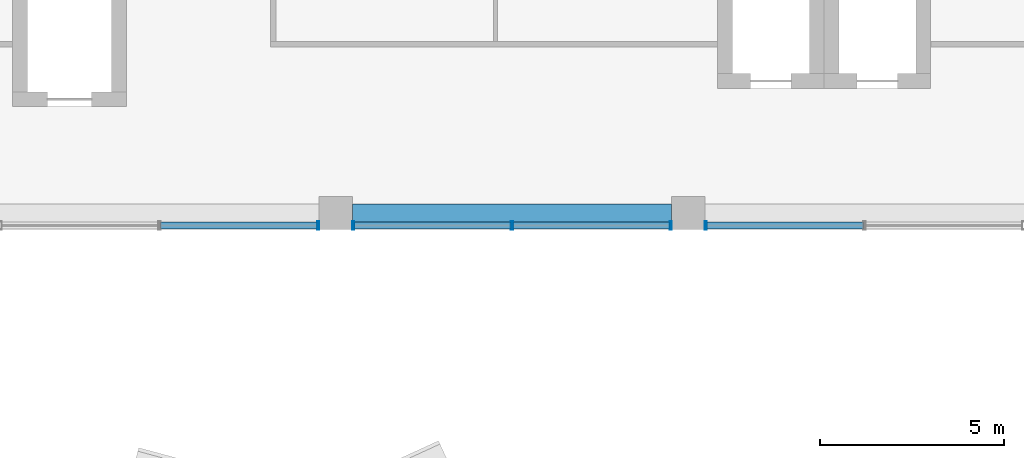
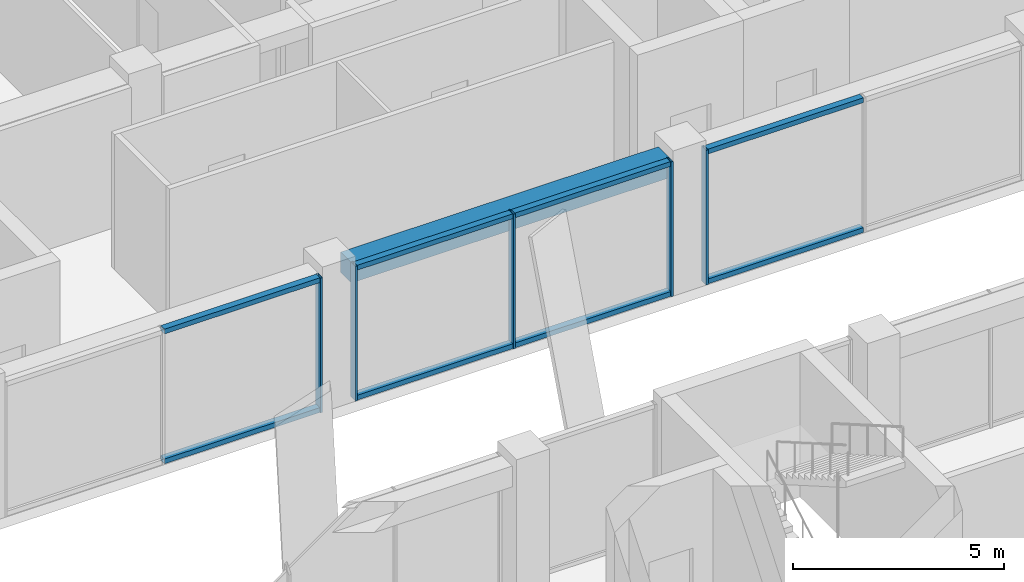
# One storey, part 10 of 36: 13 members, 1 beam, 3 elements without a shape of their own.
"""IFC4 building model written with IfcOpenShell, lengths in metres."""

import ifcopenshell
import ifcopenshell.guid

model = None  # the IFC model being written
_history = None  # IfcOwnerHistory: only IFC2X3 demands one
_inside = {}  # id of a spatial element -> (the spatial element, [elements in it])
_under = {}  # id of a project, library or spatial element -> (it, [spatial elements below it])
_declared = {}  # id of a project -> (the project, [libraries it declares])
_typed = {}  # id of a type object -> (the type object, [elements of that type])
_made_of = {}  # id of a material, layer set ... -> (it, [elements and type objects made of it])


def new_model(schema):
    """Start an empty IFC model of exactly this schema.

    Asked for "IFC4X3", IfcOpenShell would pick the latest addendum, in which some entities
    have other attributes; the version numbers below select the first issue.
    IFC2X3 requires an IfcOwnerHistory on every rooted entity: one is made here for all.
    """
    global model, _history
    if schema == "IFC4X3":
        model = ifcopenshell.file(schema_version=(4, 3, 0, 0))
    else:
        model = ifcopenshell.file(schema=schema)
    _inside.clear()
    _under.clear()
    _declared.clear()
    _typed.clear()
    _made_of.clear()
    _history = None
    if model.schema == "IFC2X3":
        org = make("IfcOrganization", Name="unknown")
        user = make(
            "IfcPersonAndOrganization",
            ThePerson=make("IfcPerson", FamilyName="unknown"),
            TheOrganization=org,
        )
        app = make(
            "IfcApplication",
            ApplicationDeveloper=org,
            Version="unknown",
            ApplicationFullName="unknown",
            ApplicationIdentifier="unknown",
        )
        _history = make(
            "IfcOwnerHistory",
            OwningUser=user,
            OwningApplication=app,
            ChangeAction="ADDED",
            CreationDate=0,
        )
    return model


def make(cls, **values):
    """One entity of the class cls with the attributes given. An attribute that is None is left unset."""
    return model.create_entity(
        cls, **{name: value for name, value in values.items() if value is not None}
    )


def rooted(cls, **values):
    """An entity with a GlobalId (a new one), such as an element, a storey or a relation."""
    return make(cls, GlobalId=ifcopenshell.guid.new(), OwnerHistory=_history, **values)


def si_unit(unit_type, name, prefix=None):
    """IfcSIUnit, for example si_unit("LENGTHUNIT", "METRE", prefix="MILLI")."""
    return make("IfcSIUnit", UnitType=unit_type, Prefix=prefix, Name=name)


def assignment(units):
    """IfcUnitAssignment: the units of a project."""
    return None if units is None else make("IfcUnitAssignment", Units=units)


def point(xyz):
    """IfcCartesianPoint."""
    return None if xyz is None else make("IfcCartesianPoint", Coordinates=xyz)


def direction(xyz):
    """IfcDirection."""
    return None if xyz is None else make("IfcDirection", DirectionRatios=xyz)


def frame(location, z_axis=None, x_axis=None):
    """IfcAxis2Placement3D, a coordinate frame: its origin and axes. An axis left out is left unset."""
    return make(
        "IfcAxis2Placement3D",
        Location=point(location),
        Axis=direction(z_axis),
        RefDirection=direction(x_axis),
    )


def frame_2d(location, x_axis=None):
    """IfcAxis2Placement2D, a coordinate frame in the plane: its origin and x axis."""
    return make(
        "IfcAxis2Placement2D", Location=point(location), RefDirection=direction(x_axis)
    )


def origin():
    """The frame at (0, 0, 0) with its axes left unset."""
    return frame((0.0, 0.0, 0.0))


def origin_2d():
    """The frame at (0, 0) in the plane with its x axis left unset."""
    return frame_2d((0.0, 0.0))


def place(relative_to, where):
    """IfcLocalPlacement: puts the frame where relative to a parent placement (None: the world)."""
    return make(
        "IfcLocalPlacement", PlacementRelTo=relative_to, RelativePlacement=where
    )


def context(
    kind, dimensions, precision=None, world=None, true_north=None, identifier=None
):
    """IfcGeometricRepresentationContext, for example the 3D "Model" context."""
    return make(
        "IfcGeometricRepresentationContext",
        ContextIdentifier=identifier,
        ContextType=kind,
        CoordinateSpaceDimension=dimensions,
        Precision=precision,
        WorldCoordinateSystem=world,
        TrueNorth=true_north,
    )


def subcontext(parent, identifier, kind, view, scale=None):
    """IfcGeometricRepresentationSubContext, for example "Body" below "Model"."""
    return make(
        "IfcGeometricRepresentationSubContext",
        ContextIdentifier=identifier,
        ContextType=kind,
        ParentContext=parent,
        TargetScale=scale,
        TargetView=view,
    )


def project(units=None, contexts=None):
    """IfcProject with its units and contexts."""
    return rooted(
        "IfcProject",
        Name="project",
        RepresentationContexts=contexts,
        UnitsInContext=assignment(units),
    )


def spatial(cls, under=None, at=None, **own):
    """A site, building, storey or space (cls), placed at a placement, below another one or the project."""
    s = rooted(cls, ObjectPlacement=at, **own)
    if under is not None:
        _under.setdefault(under.id(), (under, []))[1].append(s)
    return s


def profile(cls, at=None, kind="AREA", **sizes):
    """A parametric profile (cls). Its sizes go by their IFC names, for example OverallWidth=200.0."""
    return make(cls, ProfileType=kind, Position=at, **sizes)


def rectangle(**sizes):
    """IfcRectangleProfileDef."""
    return profile("IfcRectangleProfileDef", **sizes)


def hollow_rectangle(**sizes):
    """IfcRectangleHollowProfileDef."""
    return profile("IfcRectangleHollowProfileDef", **sizes)


def extrude(swept, where, along, depth):
    """IfcExtrudedAreaSolid: the profile swept, set in the frame where, extruded along a direction by depth."""
    return make(
        "IfcExtrudedAreaSolid",
        SweptArea=swept,
        Position=where,
        ExtrudedDirection=direction(along),
        Depth=depth,
    )


def shape(context_of_items, identifier, shape_type, items):
    """IfcShapeRepresentation: the items that make up one representation, for example the "Body"."""
    return make(
        "IfcShapeRepresentation",
        ContextOfItems=context_of_items,
        RepresentationIdentifier=identifier,
        RepresentationType=shape_type,
        Items=items,
    )


def material(Name=None, Category=None):
    """IfcMaterial."""
    return make("IfcMaterial", Name=Name, Category=Category)


def layer(
    of_material, thickness, ventilated=None, Name=None, Category=None, Priority=None
):
    """IfcMaterialLayer: one layer of a wall or slab, of a material (None: an air gap)."""
    return make(
        "IfcMaterialLayer",
        Material=of_material,
        LayerThickness=thickness,
        IsVentilated=ventilated,
        Name=Name,
        Category=Category,
        Priority=Priority,
    )


def layer_set(layers, Name=None):
    """IfcMaterialLayerSet."""
    return make("IfcMaterialLayerSet", MaterialLayers=layers, LayerSetName=Name)


def material_profile(
    of_material, cross_section, Name=None, Category=None, Priority=None
):
    """IfcMaterialProfile: a cross section and its material."""
    return make(
        "IfcMaterialProfile",
        Name=Name,
        Material=of_material,
        Profile=cross_section,
        Priority=Priority,
        Category=Category,
    )


def profile_set(profiles, Name=None, composite=None):
    """IfcMaterialProfileSet."""
    return make(
        "IfcMaterialProfileSet",
        Name=Name,
        MaterialProfiles=profiles,
        CompositeProfile=composite,
    )


def made_of(thing, what):
    """Note that an element or type object is made of a material, layer set ...; save() writes the relation."""
    if what is not None:
        _made_of.setdefault(what.id(), (what, []))[1].append(thing)
    return thing


def type_object(cls, material=None, **own):
    """A type object (cls), such as IfcWallType, which elements share."""
    return made_of(rooted(cls, **own), material)


def element(
    cls,
    number,
    at=None,
    inside=None,
    cuts=None,
    type_object=None,
    material=None,
    context=None,
    identifier="Body",
    shape_type=None,
    held_by="IfcProductDefinitionShape",
    body=None,
    shapes=None,
    **own,
):
    """One element of the class cls, such as IfcWall. Its Tag is "e" and its number.

    at: its placement. inside: the storey or other place that contains it. cuts: it is an
    opening in that element (IfcRelVoidsElement). A single representation is given by context,
    identifier, shape_type and body (its items); several are given by shapes. held_by: the class
    of the entity that holds the representations. save() writes the other relations.
    """
    e = rooted(cls, Tag="e%d" % number, ObjectPlacement=at, **own)
    if body is not None:
        shapes = [shape(context, identifier, shape_type, body)]
    if shapes is not None:
        e.Representation = make(held_by, Representations=shapes)
    if inside is not None:
        _inside.setdefault(inside.id(), (inside, []))[1].append(e)
    if cuts is not None:
        rooted(
            "IfcRelVoidsElement", RelatingBuildingElement=cuts, RelatedOpeningElement=e
        )
    if type_object is not None:
        _typed.setdefault(type_object.id(), (type_object, []))[1].append(e)
    return made_of(e, material)


def aggregate(whole, parts):
    """IfcRelAggregates: a whole, such as a stair, and the parts it consists of."""
    return rooted("IfcRelAggregates", RelatingObject=whole, RelatedObjects=parts)


def save(model, path):
    """Write the relations noted so far, then the file.

    IfcRelAggregates (storeys below a building ...), IfcRelContainedInSpatialStructure (elements
    in a storey), IfcRelDefinesByType, IfcRelAssociatesMaterial and IfcRelDeclares: one each for
    every whole, place, type object, material and project.
    """
    for whole, parts in _under.values():
        aggregate(whole, parts)
    for where, things in _inside.values():
        rooted(
            "IfcRelContainedInSpatialStructure",
            RelatedElements=things,
            RelatingStructure=where,
        )
    for kind, things in _typed.values():
        rooted("IfcRelDefinesByType", RelatedObjects=things, RelatingType=kind)
    for what, things in _made_of.values():
        rooted("IfcRelAssociatesMaterial", RelatedObjects=things, RelatingMaterial=what)
    for by, libraries in _declared.values():
        rooted("IfcRelDeclares", RelatingContext=by, RelatedDefinitions=libraries)
    model.write(path)


model = new_model("IFC4")

# Units and contexts
model_context = context("Model", 3, precision=1e-05, world=origin(), true_north=direction((0.0, 1.0)))
body_context = subcontext(model_context, "Body", "Model", "MODEL_VIEW")
ifc_project = project(units=[si_unit("LENGTHUNIT", "METRE"), si_unit("AREAUNIT", "SQUARE_METRE"), si_unit("VOLUMEUNIT", "CUBIC_METRE"), si_unit("PLANEANGLEUNIT", "RADIAN"), si_unit("MASSUNIT", "GRAM", prefix="KILO")], contexts=[model_context])

# Site, building, storey
site_placement = place(None, origin())
site = spatial("IfcSite", under=ifc_project, at=site_placement, CompositionType="ELEMENT")
building_placement = place(site_placement, origin())
building = spatial("IfcBuilding", under=site, at=building_placement, Name="Nzadi Deep Aquarium and Research Tower", CompositionType="ELEMENT")
storey_placement = place(building_placement, frame((0.0, 0.0, 44.5)))
storey = spatial("IfcBuildingStorey", under=building, at=storey_placement, Name="L08", CompositionType="ELEMENT", Elevation=44.5)

# Curtain wall, member
ifc_material_1 = material(Name="Aluminium unitised frame deep", Category="aluminium")
ifc_layer = layer(ifc_material_1, 0.22509765625)
ifc_layer_set = layer_set([ifc_layer], Name="Aluminium unitised frame deep")
curtain_wall_type = type_object("IfcCurtainWallType", Name="Curtain wall Unitised Deep 225", PredefinedType="NOTDEFINED", material=ifc_layer_set)
curtain_wall_1_placement = place(storey_placement, origin())
curtain_wall_1 = element("IfcCurtainWall", 1, at=curtain_wall_1_placement, inside=storey, type_object=curtain_wall_type, Name="Unitised curtain wall blade B south L08", PredefinedType="NOTDEFINED")
ifc_material_2 = material(Name="Aluminium unitised frame deep", Category="aluminium")
ifc_material_profile_1 = material_profile(ifc_material_2, hollow_rectangle(XDim=0.22509765625, YDim=0.06005859375, WallThickness=0.0048828125, at=origin_2d()))
ifc_profile_set_1 = profile_set([ifc_material_profile_1], Name="Aluminium unitised frame deep")
member_type_1 = type_object("IfcMemberType", Name="Mullion 60x225 Unitised Deep", PredefinedType="MULLION", material=ifc_profile_set_1)
member_1_placement = place(storey_placement, frame((18.719970703125, 27.262451171875, 0.0), z_axis=(0.0, 0.0, 1.0), x_axis=(0.0, 1.0, 0.0)))
member_1 = element("IfcMember", 2, at=member_1_placement, type_object=member_type_1, Name="CW109 mullion 3", PredefinedType="MULLION", context=body_context, shape_type="SweptSolid", body=[
    extrude(hollow_rectangle(XDim=0.22509765625, YDim=0.06005859375, WallThickness=0.0048828125, at=origin_2d()), origin(), (0.0, 0.0, 1.0), 3.89990234375),
])

# Curtain wall, members
curtain_wall_2_placement = place(storey_placement, origin())
curtain_wall_2 = element("IfcCurtainWall", 3, at=curtain_wall_2_placement, inside=storey, type_object=curtain_wall_type, Name="Unitised curtain wall blade B south L08", PredefinedType="NOTDEFINED")
member_2_placement = place(storey_placement, frame((19.679931640625, 27.262451171875, 0.0), z_axis=(0.0, 0.0, 1.0), x_axis=(0.0, 1.0, 0.0)))
member_2 = element("IfcMember", 4, at=member_2_placement, type_object=member_type_1, Name="CW110 mullion 1", PredefinedType="MULLION", context=body_context, shape_type="SweptSolid", body=[
    extrude(hollow_rectangle(XDim=0.22509765625, YDim=0.06005859375, WallThickness=0.0048828125, at=origin_2d()), origin(), (0.0, 0.0, 1.0), 3.89990234375),
])
member_3_placement = place(storey_placement, frame((24.0, 27.262451171875, 0.0), z_axis=(0.0, 0.0, 1.0), x_axis=(0.0, 1.0, 0.0)))
member_3 = element("IfcMember", 5, at=member_3_placement, type_object=member_type_1, Name="CW110 mullion 2", PredefinedType="MULLION", context=body_context, shape_type="SweptSolid", body=[
    extrude(hollow_rectangle(XDim=0.22509765625, YDim=0.06005859375, WallThickness=0.0048828125, at=origin_2d()), origin(), (0.0, 0.0, 1.0), 3.89990234375),
])
member_4_placement = place(storey_placement, frame((28.320068359375, 27.262451171875, 0.0), z_axis=(0.0, 0.0, 1.0), x_axis=(0.0, 1.0, 0.0)))
member_4 = element("IfcMember", 6, at=member_4_placement, type_object=member_type_1, Name="CW110 mullion 3", PredefinedType="MULLION", context=body_context, shape_type="SweptSolid", body=[
    extrude(hollow_rectangle(XDim=0.22509765625, YDim=0.06005859375, WallThickness=0.0048828125, at=origin_2d()), origin(), (0.0, 0.0, 1.0), 3.89990234375),
])

# Curtain wall, member
curtain_wall_3_placement = place(storey_placement, origin())
curtain_wall_3 = element("IfcCurtainWall", 7, at=curtain_wall_3_placement, inside=storey, type_object=curtain_wall_type, Name="Unitised curtain wall blade B south L08", PredefinedType="NOTDEFINED")
member_5_placement = place(storey_placement, frame((29.280029296875, 27.262451171875, 0.0), z_axis=(0.0, 0.0, 1.0), x_axis=(0.0, 1.0, 0.0)))
member_5 = element("IfcMember", 8, at=member_5_placement, type_object=member_type_1, Name="CW111 mullion 1", PredefinedType="MULLION", context=body_context, shape_type="SweptSolid", body=[
    extrude(hollow_rectangle(XDim=0.22509765625, YDim=0.06005859375, WallThickness=0.0048828125, at=origin_2d()), origin(), (0.0, 0.0, 1.0), 3.89990234375),
])

# Beam
ifc_material_3 = material(Name="Concrete C35/45", Category="concrete")
ifc_material_profile_2 = material_profile(ifc_material_3, rectangle(XDim=0.5, YDim=0.60009765625, at=origin_2d()))
ifc_profile_set_2 = profile_set([ifc_material_profile_2], Name="Concrete C35/45")
beam_type = type_object("IfcBeamType", Name="RC 500x600", PredefinedType="BEAM", material=ifc_profile_set_2)
beam_placement = place(storey_placement, frame((19.64990234375, 27.60009765625, 3.60009765625), z_axis=(1.0, 0.0, 0.0), x_axis=(0.0, 1.0, 0.0)))
element("IfcBeam", 9, at=beam_placement, inside=storey, type_object=beam_type, Name="B-Z1-L08-L4-3", PredefinedType="BEAM", context=body_context, shape_type="SweptSolid", body=[
    extrude(rectangle(XDim=0.5, YDim=0.60009765625, at=origin_2d()), origin(), (0.0, 0.0, 1.0), 8.7001953125),
])

# Member
ifc_material_4 = material(Name="Aluminium unitised frame deep", Category="aluminium")
ifc_material_profile_3 = material_profile(ifc_material_4, hollow_rectangle(XDim=0.179931640625, YDim=0.139892578125, WallThickness=0.0048828125, at=origin_2d()))
ifc_profile_set_3 = profile_set([ifc_material_profile_3], Name="Aluminium unitised frame deep")
member_type_2 = type_object("IfcMemberType", Name="Transom 140x180 Unitised Deep", PredefinedType="MULLION", material=ifc_profile_set_3)
member_6_placement = place(storey_placement, frame((14.429931640625, 27.262451171875, 0.070068359375), z_axis=(1.0, 0.0, 0.0), x_axis=(0.0, 1.0, 0.0)))
member_6 = element("IfcMember", 10, at=member_6_placement, type_object=member_type_2, Name="CW109 transom 2.1", PredefinedType="MULLION", context=body_context, shape_type="SweptSolid", body=[
    extrude(hollow_rectangle(XDim=0.179931640625, YDim=0.139892578125, WallThickness=0.0048828125, at=origin_2d()), origin(), (0.0, 0.0, 1.0), 4.260009765625),
])

member_7_placement = place(storey_placement, frame((14.429931640625, 27.262451171875, 3.830078125), z_axis=(1.0, 0.0, 0.0), x_axis=(0.0, 1.0, 0.0)))
member_7 = element("IfcMember", 11, at=member_7_placement, type_object=member_type_2, Name="CW109 transom 2.2", PredefinedType="MULLION", context=body_context, shape_type="SweptSolid", body=[
    extrude(hollow_rectangle(XDim=0.179931640625, YDim=0.139892578125, WallThickness=0.0048828125, at=origin_2d()), origin(), (0.0, 0.0, 1.0), 4.260009765625),
])

aggregate(curtain_wall_1, [member_1, member_6, member_7])

member_8_placement = place(storey_placement, frame((19.7099609375, 27.262451171875, 0.070068359375), z_axis=(1.0, 0.0, 0.0), x_axis=(0.0, 1.0, 0.0)))
member_8 = element("IfcMember", 12, at=member_8_placement, type_object=member_type_2, Name="CW110 transom 1.1", PredefinedType="MULLION", context=body_context, shape_type="SweptSolid", body=[
    extrude(hollow_rectangle(XDim=0.179931640625, YDim=0.139892578125, WallThickness=0.0048828125, at=origin_2d()), origin(), (0.0, 0.0, 1.0), 4.260009765625),
])

member_9_placement = place(storey_placement, frame((19.7099609375, 27.262451171875, 3.830078125), z_axis=(1.0, 0.0, 0.0), x_axis=(0.0, 1.0, 0.0)))
member_9 = element("IfcMember", 13, at=member_9_placement, type_object=member_type_2, Name="CW110 transom 1.2", PredefinedType="MULLION", context=body_context, shape_type="SweptSolid", body=[
    extrude(hollow_rectangle(XDim=0.179931640625, YDim=0.139892578125, WallThickness=0.0048828125, at=origin_2d()), origin(), (0.0, 0.0, 1.0), 4.260009765625),
])

member_10_placement = place(storey_placement, frame((24.030029296875, 27.262451171875, 0.070068359375), z_axis=(1.0, 0.0, 0.0), x_axis=(0.0, 1.0, 0.0)))
member_10 = element("IfcMember", 14, at=member_10_placement, type_object=member_type_2, Name="CW110 transom 2.1", PredefinedType="MULLION", context=body_context, shape_type="SweptSolid", body=[
    extrude(hollow_rectangle(XDim=0.179931640625, YDim=0.139892578125, WallThickness=0.0048828125, at=origin_2d()), origin(), (0.0, 0.0, 1.0), 4.260009765625),
])

member_11_placement = place(storey_placement, frame((24.030029296875, 27.262451171875, 3.830078125), z_axis=(1.0, 0.0, 0.0), x_axis=(0.0, 1.0, 0.0)))
member_11 = element("IfcMember", 15, at=member_11_placement, type_object=member_type_2, Name="CW110 transom 2.2", PredefinedType="MULLION", context=body_context, shape_type="SweptSolid", body=[
    extrude(hollow_rectangle(XDim=0.179931640625, YDim=0.139892578125, WallThickness=0.0048828125, at=origin_2d()), origin(), (0.0, 0.0, 1.0), 4.260009765625),
])

aggregate(curtain_wall_2, [member_2, member_3, member_4, member_8, member_9, member_10, member_11])

member_12_placement = place(storey_placement, frame((29.31005859375, 27.262451171875, 0.070068359375), z_axis=(1.0, 0.0, 0.0), x_axis=(0.0, 1.0, 0.0)))
member_12 = element("IfcMember", 16, at=member_12_placement, type_object=member_type_2, Name="CW111 transom 1.1", PredefinedType="MULLION", context=body_context, shape_type="SweptSolid", body=[
    extrude(hollow_rectangle(XDim=0.179931640625, YDim=0.139892578125, WallThickness=0.0048828125, at=origin_2d()), origin(), (0.0, 0.0, 1.0), 4.260009765625),
])

member_13_placement = place(storey_placement, frame((29.31005859375, 27.262451171875, 3.830078125), z_axis=(1.0, 0.0, 0.0), x_axis=(0.0, 1.0, 0.0)))
member_13 = element("IfcMember", 17, at=member_13_placement, type_object=member_type_2, Name="CW111 transom 1.2", PredefinedType="MULLION", context=body_context, shape_type="SweptSolid", body=[
    extrude(hollow_rectangle(XDim=0.179931640625, YDim=0.139892578125, WallThickness=0.0048828125, at=origin_2d()), origin(), (0.0, 0.0, 1.0), 4.260009765625),
])

aggregate(curtain_wall_3, [member_5, member_12, member_13])

save(model, "model.ifc")
